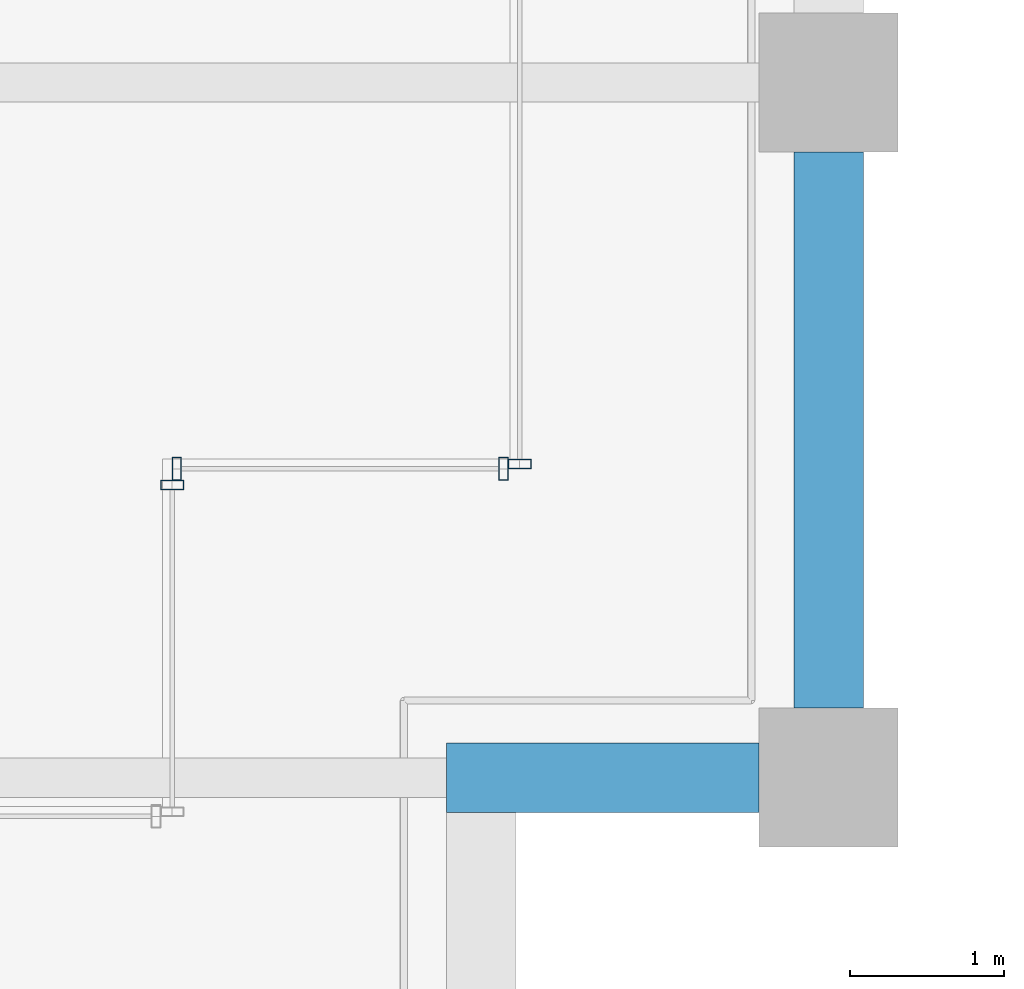
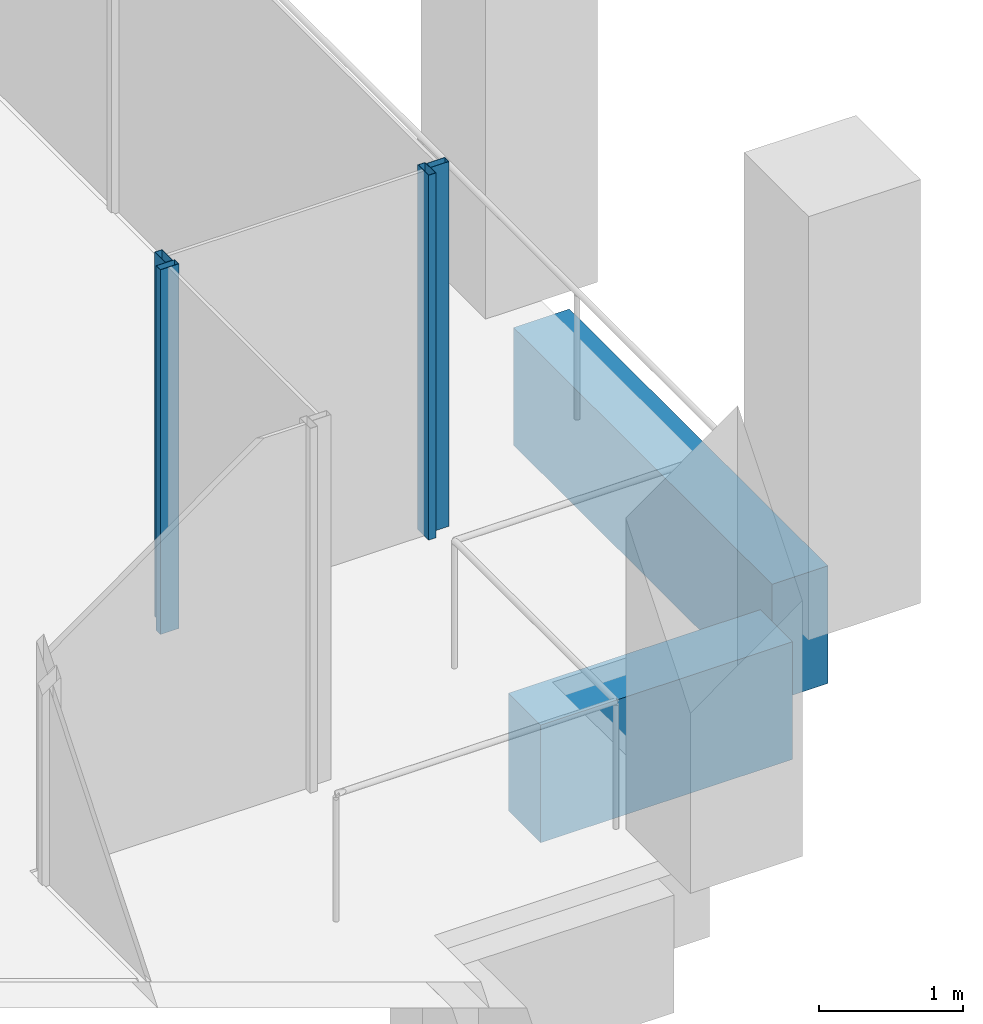
# One storey, part 13 of 40: 4 members, 2 beams, 3 elements without a shape of their own.
"""IFC4 building model written with IfcOpenShell, lengths in metres."""

from ifc_helpers import new_model, si_unit, direction, frame, origin, origin_2d, place, context, subcontext, project, spatial, rectangle, hollow_rectangle, extrude, material, material_profile, profile_set, type_object, element, aggregate, save


model = new_model("IFC4")

# Units and contexts
model_context = context("Model", 3, precision=1e-05, world=origin(), true_north=direction((0.0, 1.0)))
body_context = subcontext(model_context, "Body", "Model", "MODEL_VIEW")
ifc_project = project(units=[si_unit("LENGTHUNIT", "METRE"), si_unit("AREAUNIT", "SQUARE_METRE"), si_unit("VOLUMEUNIT", "CUBIC_METRE"), si_unit("PLANEANGLEUNIT", "RADIAN"), si_unit("MASSUNIT", "GRAM", prefix="KILO")], contexts=[model_context])

# Site, building, storey
site_placement = place(None, origin())
site = spatial("IfcSite", under=ifc_project, at=site_placement, CompositionType="ELEMENT")
building_placement = place(site_placement, origin())
building = spatial("IfcBuilding", under=site, at=building_placement, Name="Altepetl Exchange Towers", CompositionType="ELEMENT")
storey_placement = place(building_placement, frame((0.0, 0.0, 169.0)))
storey = spatial("IfcBuildingStorey", under=building, at=storey_placement, Name="L42", CompositionType="ELEMENT", Elevation=169.0)

# Curtain wall, member
ifc_material_1 = material(Name="Aluminium 6063-T6 glazing", Category="aluminium")
curtain_wall_type = type_object("IfcCurtainWallType", Name="Loggia glazing system", PredefinedType="NOTDEFINED", material=ifc_material_1)
curtain_wall_1_placement = place(storey_placement, origin())
curtain_wall_1 = element("IfcCurtainWall", 1, at=curtain_wall_1_placement, inside=storey, type_object=curtain_wall_type, Name="CW1 run", PredefinedType="NOTDEFINED")
ifc_material_2 = material(Name="Aluminium 6063-T6", Category="aluminium")
ifc_material_profile_1 = material_profile(ifc_material_2, hollow_rectangle(XDim=0.06005859375, YDim=0.14990234375, WallThickness=0.0029296875, at=origin_2d()), Name="Mullion 60x150 aluminium")
ifc_profile_set_1 = profile_set([ifc_material_profile_1], Name="Aluminium 6063-T6")
member_type = type_object("IfcMemberType", Name="Mullion 60x150 aluminium", PredefinedType="MULLION", material=ifc_profile_set_1)
member_1_placement = place(storey_placement, frame((67.75, 33.39501953125, 0.0), z_axis=(0.0, 0.0, 1.0), x_axis=(0.0, 1.0, 0.0)))
member_1 = element("IfcMember", 2, at=member_1_placement, type_object=member_type, Name="MU1 mullion", PredefinedType="MULLION", context=body_context, shape_type="SweptSolid", body=[
    extrude(hollow_rectangle(XDim=0.06005859375, YDim=0.14990234375, WallThickness=0.0029296875, at=origin_2d()), origin(), (0.0, 0.0, 1.0), 3.10009765625),
])
aggregate(curtain_wall_1, [member_1])

# Curtain wall, members
curtain_wall_2_placement = place(storey_placement, origin())
curtain_wall_2 = element("IfcCurtainWall", 3, at=curtain_wall_2_placement, inside=storey, type_object=curtain_wall_type, Name="CW1 run", PredefinedType="NOTDEFINED")
member_2_placement = place(storey_placement, frame((67.780029296875, 33.5, 0.0)))
member_2 = element("IfcMember", 4, at=member_2_placement, type_object=member_type, Name="MU1 mullion", PredefinedType="MULLION", context=body_context, shape_type="SweptSolid", body=[
    extrude(hollow_rectangle(XDim=0.06005859375, YDim=0.14990234375, WallThickness=0.0029296875, at=origin_2d()), origin(), (0.0, 0.0, 1.0), 3.10009765625),
])
member_3_placement = place(storey_placement, frame((69.89501953125, 33.5, 0.0)))
member_3 = element("IfcMember", 5, at=member_3_placement, type_object=member_type, Name="MU1 mullion", PredefinedType="MULLION", context=body_context, shape_type="SweptSolid", body=[
    extrude(hollow_rectangle(XDim=0.06005859375, YDim=0.14990234375, WallThickness=0.0029296875, at=origin_2d()), origin(), (0.0, 0.0, 1.0), 3.10009765625),
])
aggregate(curtain_wall_2, [member_2, member_3])

# Curtain wall, member
curtain_wall_3_placement = place(storey_placement, origin())
curtain_wall_3 = element("IfcCurtainWall", 6, at=curtain_wall_3_placement, inside=storey, type_object=curtain_wall_type, Name="CW1 run", PredefinedType="NOTDEFINED")
member_4_placement = place(storey_placement, frame((70.0, 33.530029296875, 0.0), z_axis=(0.0, 0.0, 1.0), x_axis=(0.0, 1.0, 0.0)))
member_4 = element("IfcMember", 7, at=member_4_placement, type_object=member_type, Name="MU1 mullion", PredefinedType="MULLION", context=body_context, shape_type="SweptSolid", body=[
    extrude(hollow_rectangle(XDim=0.06005859375, YDim=0.14990234375, WallThickness=0.0029296875, at=origin_2d()), origin(), (0.0, 0.0, 1.0), 3.10009765625),
])
aggregate(curtain_wall_3, [member_4])

# Beams
ifc_material_3 = material(Name="Concrete C50/60 precast with cantera amarilla facing", Category="concrete")
ifc_material_profile_2 = material_profile(ifc_material_3, rectangle(XDim=0.449951171875, YDim=1.0, at=origin_2d()), Name="450 x 1000")
ifc_profile_set_2 = profile_set([ifc_material_profile_2], Name="Concrete C50/60 precast with cantera amarilla facing")
beam_type = type_object("IfcBeamType", Name="Spandrel beam 450x1000 cantera amarilla", PredefinedType="SPANDREL", material=ifc_profile_set_2)
beam_1_placement = place(storey_placement, frame((69.52490234375, 31.5, -0.64990234375), z_axis=(1.0, 0.0, 0.0), x_axis=(0.0, 1.0, 0.0)))
element("IfcBeam", 8, at=beam_1_placement, inside=storey, type_object=beam_type, Name="sp:A:L42:011", PredefinedType="SPANDREL", context=body_context, shape_type="SweptSolid", body=[
    extrude(rectangle(XDim=0.449951171875, YDim=1.0, at=origin_2d()), origin(), (0.0, 0.0, 1.0), 2.025146484375),
])
beam_2_placement = place(storey_placement, frame((72.0, 31.949951171875, -0.64990234375), z_axis=(0.0, 1.0, 0.0), x_axis=(-1.0, 0.0, 0.0)))
element("IfcBeam", 9, at=beam_2_placement, inside=storey, type_object=beam_type, Name="sp:A:L42:012", PredefinedType="SPANDREL", context=body_context, shape_type="SweptSolid", body=[
    extrude(rectangle(XDim=0.449951171875, YDim=1.0, at=origin_2d()), origin(), (0.0, 0.0, 1.0), 3.60009765625),
])

save(model, "model.ifc")
